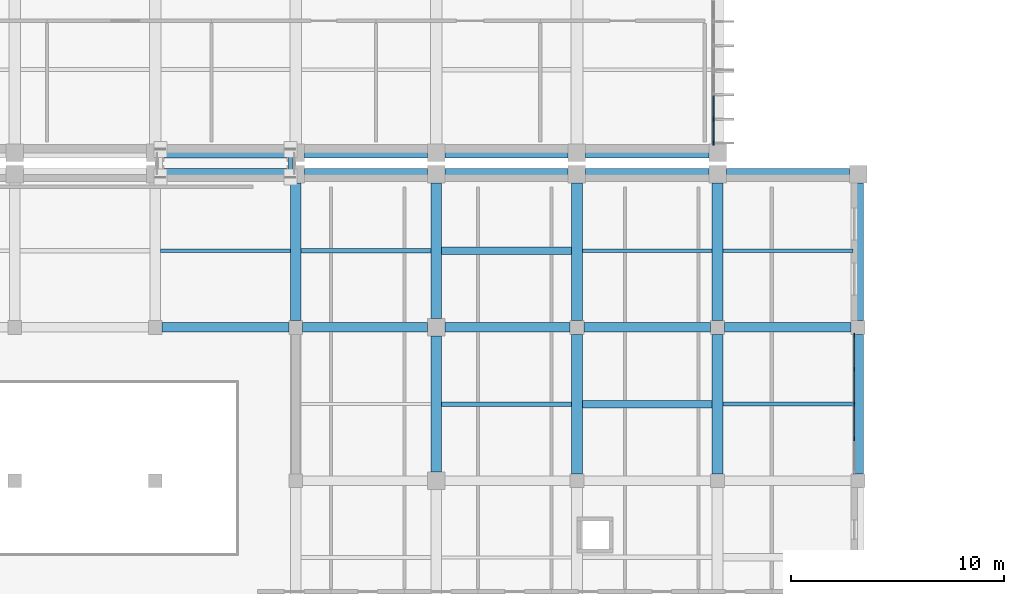
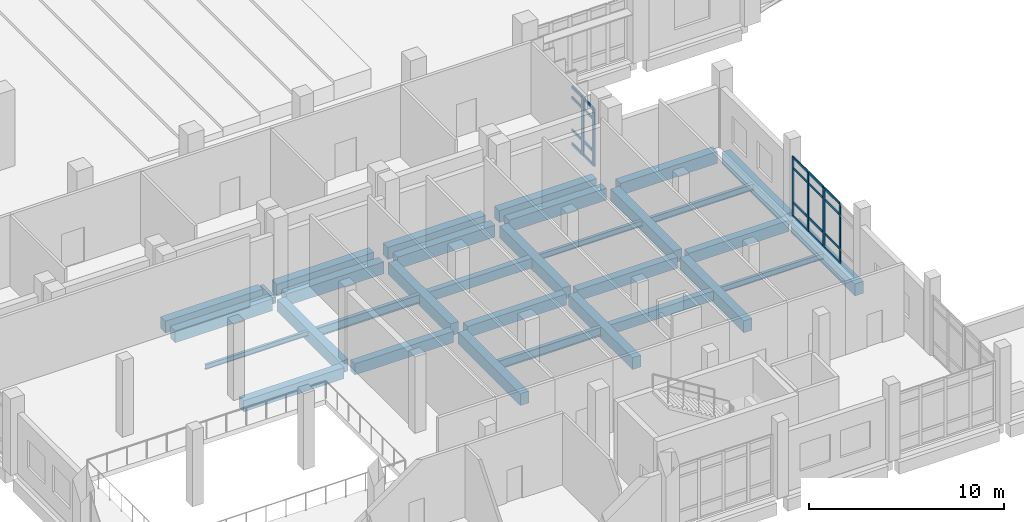
# One storey, part 17 of 90: 32 beams, 27 members, 3 elements without a shape of their own.
"""IFC4 building model written with IfcOpenShell, lengths in metres."""

import ifcopenshell
import ifcopenshell.guid

model = None  # the IFC model being written
_history = None  # IfcOwnerHistory: only IFC2X3 demands one
_inside = {}  # id of a spatial element -> (the spatial element, [elements in it])
_under = {}  # id of a project, library or spatial element -> (it, [spatial elements below it])
_declared = {}  # id of a project -> (the project, [libraries it declares])
_typed = {}  # id of a type object -> (the type object, [elements of that type])
_made_of = {}  # id of a material, layer set ... -> (it, [elements and type objects made of it])


def new_model(schema):
    """Start an empty IFC model of exactly this schema.

    Asked for "IFC4X3", IfcOpenShell would pick the latest addendum, in which some entities
    have other attributes; the version numbers below select the first issue.
    IFC2X3 requires an IfcOwnerHistory on every rooted entity: one is made here for all.
    """
    global model, _history
    if schema == "IFC4X3":
        model = ifcopenshell.file(schema_version=(4, 3, 0, 0))
    else:
        model = ifcopenshell.file(schema=schema)
    _inside.clear()
    _under.clear()
    _declared.clear()
    _typed.clear()
    _made_of.clear()
    _history = None
    if model.schema == "IFC2X3":
        org = make("IfcOrganization", Name="unknown")
        user = make(
            "IfcPersonAndOrganization",
            ThePerson=make("IfcPerson", FamilyName="unknown"),
            TheOrganization=org,
        )
        app = make(
            "IfcApplication",
            ApplicationDeveloper=org,
            Version="unknown",
            ApplicationFullName="unknown",
            ApplicationIdentifier="unknown",
        )
        _history = make(
            "IfcOwnerHistory",
            OwningUser=user,
            OwningApplication=app,
            ChangeAction="ADDED",
            CreationDate=0,
        )
    return model


def make(cls, **values):
    """One entity of the class cls with the attributes given. An attribute that is None is left unset."""
    return model.create_entity(
        cls, **{name: value for name, value in values.items() if value is not None}
    )


def rooted(cls, **values):
    """An entity with a GlobalId (a new one), such as an element, a storey or a relation."""
    return make(cls, GlobalId=ifcopenshell.guid.new(), OwnerHistory=_history, **values)


def si_unit(unit_type, name, prefix=None):
    """IfcSIUnit, for example si_unit("LENGTHUNIT", "METRE", prefix="MILLI")."""
    return make("IfcSIUnit", UnitType=unit_type, Prefix=prefix, Name=name)


def assignment(units):
    """IfcUnitAssignment: the units of a project."""
    return None if units is None else make("IfcUnitAssignment", Units=units)


def point(xyz):
    """IfcCartesianPoint."""
    return None if xyz is None else make("IfcCartesianPoint", Coordinates=xyz)


def direction(xyz):
    """IfcDirection."""
    return None if xyz is None else make("IfcDirection", DirectionRatios=xyz)


def frame(location, z_axis=None, x_axis=None):
    """IfcAxis2Placement3D, a coordinate frame: its origin and axes. An axis left out is left unset."""
    return make(
        "IfcAxis2Placement3D",
        Location=point(location),
        Axis=direction(z_axis),
        RefDirection=direction(x_axis),
    )


def frame_2d(location, x_axis=None):
    """IfcAxis2Placement2D, a coordinate frame in the plane: its origin and x axis."""
    return make(
        "IfcAxis2Placement2D", Location=point(location), RefDirection=direction(x_axis)
    )


def origin():
    """The frame at (0, 0, 0) with its axes left unset."""
    return frame((0.0, 0.0, 0.0))


def origin_2d():
    """The frame at (0, 0) in the plane with its x axis left unset."""
    return frame_2d((0.0, 0.0))


def place(relative_to, where):
    """IfcLocalPlacement: puts the frame where relative to a parent placement (None: the world)."""
    return make(
        "IfcLocalPlacement", PlacementRelTo=relative_to, RelativePlacement=where
    )


def context(
    kind, dimensions, precision=None, world=None, true_north=None, identifier=None
):
    """IfcGeometricRepresentationContext, for example the 3D "Model" context."""
    return make(
        "IfcGeometricRepresentationContext",
        ContextIdentifier=identifier,
        ContextType=kind,
        CoordinateSpaceDimension=dimensions,
        Precision=precision,
        WorldCoordinateSystem=world,
        TrueNorth=true_north,
    )


def subcontext(parent, identifier, kind, view, scale=None):
    """IfcGeometricRepresentationSubContext, for example "Body" below "Model"."""
    return make(
        "IfcGeometricRepresentationSubContext",
        ContextIdentifier=identifier,
        ContextType=kind,
        ParentContext=parent,
        TargetScale=scale,
        TargetView=view,
    )


def project(units=None, contexts=None):
    """IfcProject with its units and contexts."""
    return rooted(
        "IfcProject",
        Name="project",
        RepresentationContexts=contexts,
        UnitsInContext=assignment(units),
    )


def spatial(cls, under=None, at=None, **own):
    """A site, building, storey or space (cls), placed at a placement, below another one or the project."""
    s = rooted(cls, ObjectPlacement=at, **own)
    if under is not None:
        _under.setdefault(under.id(), (under, []))[1].append(s)
    return s


def profile(cls, at=None, kind="AREA", **sizes):
    """A parametric profile (cls). Its sizes go by their IFC names, for example OverallWidth=200.0."""
    return make(cls, ProfileType=kind, Position=at, **sizes)


def rectangle(**sizes):
    """IfcRectangleProfileDef."""
    return profile("IfcRectangleProfileDef", **sizes)


def hollow_rectangle(**sizes):
    """IfcRectangleHollowProfileDef."""
    return profile("IfcRectangleHollowProfileDef", **sizes)


def i_section(**sizes):
    """IfcIShapeProfileDef."""
    return profile("IfcIShapeProfileDef", **sizes)


def extrude(swept, where, along, depth):
    """IfcExtrudedAreaSolid: the profile swept, set in the frame where, extruded along a direction by depth."""
    return make(
        "IfcExtrudedAreaSolid",
        SweptArea=swept,
        Position=where,
        ExtrudedDirection=direction(along),
        Depth=depth,
    )


def shape(context_of_items, identifier, shape_type, items):
    """IfcShapeRepresentation: the items that make up one representation, for example the "Body"."""
    return make(
        "IfcShapeRepresentation",
        ContextOfItems=context_of_items,
        RepresentationIdentifier=identifier,
        RepresentationType=shape_type,
        Items=items,
    )


def material(Name=None, Category=None):
    """IfcMaterial."""
    return make("IfcMaterial", Name=Name, Category=Category)


def layer(
    of_material, thickness, ventilated=None, Name=None, Category=None, Priority=None
):
    """IfcMaterialLayer: one layer of a wall or slab, of a material (None: an air gap)."""
    return make(
        "IfcMaterialLayer",
        Material=of_material,
        LayerThickness=thickness,
        IsVentilated=ventilated,
        Name=Name,
        Category=Category,
        Priority=Priority,
    )


def layer_set(layers, Name=None):
    """IfcMaterialLayerSet."""
    return make("IfcMaterialLayerSet", MaterialLayers=layers, LayerSetName=Name)


def material_profile(
    of_material, cross_section, Name=None, Category=None, Priority=None
):
    """IfcMaterialProfile: a cross section and its material."""
    return make(
        "IfcMaterialProfile",
        Name=Name,
        Material=of_material,
        Profile=cross_section,
        Priority=Priority,
        Category=Category,
    )


def profile_set(profiles, Name=None, composite=None):
    """IfcMaterialProfileSet."""
    return make(
        "IfcMaterialProfileSet",
        Name=Name,
        MaterialProfiles=profiles,
        CompositeProfile=composite,
    )


def made_of(thing, what):
    """Note that an element or type object is made of a material, layer set ...; save() writes the relation."""
    if what is not None:
        _made_of.setdefault(what.id(), (what, []))[1].append(thing)
    return thing


def type_object(cls, material=None, **own):
    """A type object (cls), such as IfcWallType, which elements share."""
    return made_of(rooted(cls, **own), material)


def element(
    cls,
    number,
    at=None,
    inside=None,
    cuts=None,
    type_object=None,
    material=None,
    context=None,
    identifier="Body",
    shape_type=None,
    held_by="IfcProductDefinitionShape",
    body=None,
    shapes=None,
    **own,
):
    """One element of the class cls, such as IfcWall. Its Tag is "e" and its number.

    at: its placement. inside: the storey or other place that contains it. cuts: it is an
    opening in that element (IfcRelVoidsElement). A single representation is given by context,
    identifier, shape_type and body (its items); several are given by shapes. held_by: the class
    of the entity that holds the representations. save() writes the other relations.
    """
    e = rooted(cls, Tag="e%d" % number, ObjectPlacement=at, **own)
    if body is not None:
        shapes = [shape(context, identifier, shape_type, body)]
    if shapes is not None:
        e.Representation = make(held_by, Representations=shapes)
    if inside is not None:
        _inside.setdefault(inside.id(), (inside, []))[1].append(e)
    if cuts is not None:
        rooted(
            "IfcRelVoidsElement", RelatingBuildingElement=cuts, RelatedOpeningElement=e
        )
    if type_object is not None:
        _typed.setdefault(type_object.id(), (type_object, []))[1].append(e)
    return made_of(e, material)


def aggregate(whole, parts):
    """IfcRelAggregates: a whole, such as a stair, and the parts it consists of."""
    return rooted("IfcRelAggregates", RelatingObject=whole, RelatedObjects=parts)


def save(model, path):
    """Write the relations noted so far, then the file.

    IfcRelAggregates (storeys below a building ...), IfcRelContainedInSpatialStructure (elements
    in a storey), IfcRelDefinesByType, IfcRelAssociatesMaterial and IfcRelDeclares: one each for
    every whole, place, type object, material and project.
    """
    for whole, parts in _under.values():
        aggregate(whole, parts)
    for where, things in _inside.values():
        rooted(
            "IfcRelContainedInSpatialStructure",
            RelatedElements=things,
            RelatingStructure=where,
        )
    for kind, things in _typed.values():
        rooted("IfcRelDefinesByType", RelatedObjects=things, RelatingType=kind)
    for what, things in _made_of.values():
        rooted("IfcRelAssociatesMaterial", RelatedObjects=things, RelatingMaterial=what)
    for by, libraries in _declared.values():
        rooted("IfcRelDeclares", RelatingContext=by, RelatedDefinitions=libraries)
    model.write(path)


model = new_model("IFC4")

# Units and contexts
model_context = context("Model", 3, precision=1e-05, world=origin(), true_north=direction((0.0, 1.0)))
body_context = subcontext(model_context, "Body", "Model", "MODEL_VIEW")
ifc_project = project(units=[si_unit("LENGTHUNIT", "METRE"), si_unit("AREAUNIT", "SQUARE_METRE"), si_unit("VOLUMEUNIT", "CUBIC_METRE"), si_unit("PLANEANGLEUNIT", "RADIAN"), si_unit("MASSUNIT", "GRAM", prefix="KILO")], contexts=[model_context])

# Site, building, storey
site_placement = place(None, origin())
site = spatial("IfcSite", under=ifc_project, at=site_placement, CompositionType="ELEMENT")
building_placement = place(site_placement, origin())
building = spatial("IfcBuilding", under=site, at=building_placement, Name="Kelarvand Opera House", CompositionType="ELEMENT")
storey_placement = place(building_placement, frame((0.0, 0.0, 5.39990234375)))
storey = spatial("IfcBuildingStorey", under=building, at=storey_placement, Name="L01", CompositionType="ELEMENT", Elevation=5.39990234375)

# Curtain wall, members
ifc_material_1 = material(Name="Thermally broken aluminium and low-E glazing", Category="aluminium")
ifc_layer_1 = layer(ifc_material_1, 0.179931640625, Name="Thermally broken aluminium and low-E glazing", Category="aluminium")
ifc_layer_set_1 = layer_set([ifc_layer_1], Name="Thermally broken aluminium and low-E glazing")
curtain_wall_type_1 = type_object("IfcCurtainWallType", Name="Unitised Low-E Curtain Wall 3261x3750 Mod 1350 CWF-26", PredefinedType="USERDEFINED", material=ifc_layer_set_1)
curtain_wall_1_placement = place(storey_placement, origin())
curtain_wall_1 = element("IfcCurtainWall", 1, at=curtain_wall_1_placement, inside=storey, type_object=curtain_wall_type_1, Name="V6 L01 Curtain Wall CWF-26 (205)", ObjectType="UNITISED CURTAIN WALL", PredefinedType="USERDEFINED")
ifc_material_2 = material(Name="Thermally broken anodised aluminium", Category="aluminium")
ifc_material_profile_1 = material_profile(ifc_material_2, rectangle(XDim=0.06494140625, YDim=0.179931640625, at=origin_2d()), Name="ALU MULLION 65x180", Category="aluminium")
ifc_profile_set_1 = profile_set([ifc_material_profile_1], Name="Thermally broken anodised aluminium")
member_type_1 = type_object("IfcMemberType", Name="Curtain Wall Mullion 65x180 Aluminium", PredefinedType="MULLION", material=ifc_profile_set_1)
member_1_placement = place(storey_placement, frame((135.02001953125, 30.232421875, 0.0), z_axis=(0.0, 0.0, 1.0), x_axis=(1.0, 0.0, 0.0)))
member_1 = element("IfcMember", 2, at=member_1_placement, type_object=member_type_1, Name="CWF-26 mullion 1", PredefinedType="MULLION", context=body_context, shape_type="SweptSolid", body=[
    extrude(rectangle(XDim=0.06494140625, YDim=0.179931640625, at=origin_2d()), origin(), (0.0, 0.0, 1.0), 3.75),
])
member_2_placement = place(storey_placement, frame((135.02001953125, 28.634521484375, 0.0), z_axis=(0.0, 0.0, 1.0), x_axis=(1.0, 0.0, 0.0)))
member_2 = element("IfcMember", 3, at=member_2_placement, type_object=member_type_1, Name="CWF-26 mullion 2", PredefinedType="MULLION", context=body_context, shape_type="SweptSolid", body=[
    extrude(rectangle(XDim=0.06494140625, YDim=0.179931640625, at=origin_2d()), origin(), (0.0, 0.0, 1.0), 3.75),
])
member_3_placement = place(storey_placement, frame((135.02001953125, 27.03662109375, 0.0), z_axis=(0.0, 0.0, 1.0), x_axis=(1.0, 0.0, 0.0)))
member_3 = element("IfcMember", 4, at=member_3_placement, type_object=member_type_1, Name="CWF-26 mullion 3", PredefinedType="MULLION", context=body_context, shape_type="SweptSolid", body=[
    extrude(rectangle(XDim=0.06494140625, YDim=0.179931640625, at=origin_2d()), origin(), (0.0, 0.0, 1.0), 3.75),
])

curtain_wall_2_placement = place(storey_placement, origin())
curtain_wall_2 = element("IfcCurtainWall", 5, at=curtain_wall_2_placement, inside=storey, type_object=curtain_wall_type_1, Name="V6 L01 Curtain Wall CWF-26 (206)", ObjectType="UNITISED CURTAIN WALL", PredefinedType="USERDEFINED")
member_4_placement = place(storey_placement, frame((135.02001953125, 26.967529296875, 0.0), z_axis=(0.0, 0.0, 1.0), x_axis=(1.0, 0.0, 0.0)))
member_4 = element("IfcMember", 6, at=member_4_placement, type_object=member_type_1, Name="CWF-26 mullion 1", PredefinedType="MULLION", context=body_context, shape_type="SweptSolid", body=[
    extrude(rectangle(XDim=0.06494140625, YDim=0.179931640625, at=origin_2d()), origin(), (0.0, 0.0, 1.0), 3.75),
])
member_5_placement = place(storey_placement, frame((135.02001953125, 25.367431640625, 0.0), z_axis=(0.0, 0.0, 1.0), x_axis=(1.0, 0.0, 0.0)))
member_5 = element("IfcMember", 7, at=member_5_placement, type_object=member_type_1, Name="CWF-26 mullion 2", PredefinedType="MULLION", context=body_context, shape_type="SweptSolid", body=[
    extrude(rectangle(XDim=0.06494140625, YDim=0.179931640625, at=origin_2d()), origin(), (0.0, 0.0, 1.0), 3.75),
])

ifc_layer_2 = layer(ifc_material_1, 0.219970703125, Name="Thermally broken aluminium and low-E glazing", Category="aluminium")
ifc_layer_set_2 = layer_set([ifc_layer_2], Name="Thermally broken aluminium and low-E glazing")
curtain_wall_type_2 = type_object("IfcCurtainWallType", Name="Unitised Low-E Curtain Wall 3444x3630 Mod 1150 CWF-02", PredefinedType="USERDEFINED", material=ifc_layer_set_2)
curtain_wall_3_placement = place(storey_placement, origin())
curtain_wall_3 = element("IfcCurtainWall", 8, at=curtain_wall_3_placement, inside=storey, type_object=curtain_wall_type_2, Name="V1 L01 Curtain Wall CWF-02 (14)", ObjectType="UNITISED CURTAIN WALL", PredefinedType="USERDEFINED")
ifc_material_profile_2 = material_profile(ifc_material_2, rectangle(XDim=0.074951171875, YDim=0.219970703125, at=origin_2d()), Name="ALU MULLION 75x220", Category="aluminium")
ifc_profile_set_2 = profile_set([ifc_material_profile_2], Name="Thermally broken anodised aluminium")
member_type_2 = type_object("IfcMemberType", Name="Curtain Wall Mullion 75x220 Heavy Plaza", PredefinedType="MULLION", material=ifc_profile_set_2)
member_6_placement = place(storey_placement, frame((128.419921875, 40.369140625, 0.0), z_axis=(0.0, 0.0, 1.0), x_axis=(1.0, 0.0, 0.0)))
member_6 = element("IfcMember", 9, at=member_6_placement, type_object=member_type_2, Name="CWF-02 mullion 3", PredefinedType="MULLION", context=body_context, shape_type="SweptSolid", body=[
    extrude(rectangle(XDim=0.074951171875, YDim=0.219970703125, at=origin_2d()), origin(), (0.0, 0.0, 1.0), 3.630126953125),
])
member_7_placement = place(storey_placement, frame((128.419921875, 39.257568359375, 0.0), z_axis=(0.0, 0.0, 1.0), x_axis=(1.0, 0.0, 0.0)))
member_7 = element("IfcMember", 10, at=member_7_placement, type_object=member_type_2, Name="CWF-02 mullion 4", PredefinedType="MULLION", context=body_context, shape_type="SweptSolid", body=[
    extrude(rectangle(XDim=0.074951171875, YDim=0.219970703125, at=origin_2d()), origin(), (0.0, 0.0, 1.0), 3.630126953125),
])

# Member
ifc_material_profile_3 = material_profile(ifc_material_2, rectangle(XDim=0.06494140625, YDim=0.139892578125, at=origin_2d()), Name="ALU TRANSOM 65x140", Category="aluminium")
ifc_profile_set_3 = profile_set([ifc_material_profile_3], Name="Thermally broken anodised aluminium")
member_type_3 = type_object("IfcMemberType", Name="Curtain Wall Transom 65x140 Aluminium", PredefinedType="USERDEFINED", material=ifc_profile_set_3)
member_8_placement = place(storey_placement, frame((135.02001953125, 30.199951171875, 0.03271484375), z_axis=(0.0, -1.0, 0.0), x_axis=(1.0, 0.0, 0.0)))
member_8 = element("IfcMember", 11, at=member_8_placement, type_object=member_type_3, Name="CWF-26 transom 1.1", ObjectType="TRANSOM", PredefinedType="USERDEFINED", context=body_context, shape_type="SweptSolid", body=[
    extrude(rectangle(XDim=0.06494140625, YDim=0.139892578125, at=origin_2d()), origin(), (0.0, 0.0, 1.0), 1.532958984375),
])

member_9_placement = place(storey_placement, frame((135.02001953125, 30.199951171875, 0.900146484375), z_axis=(0.0, -1.0, 0.0), x_axis=(1.0, 0.0, 0.0)))
member_9 = element("IfcMember", 12, at=member_9_placement, type_object=member_type_3, Name="CWF-26 transom 1.2", ObjectType="TRANSOM", PredefinedType="USERDEFINED", context=body_context, shape_type="SweptSolid", body=[
    extrude(rectangle(XDim=0.06494140625, YDim=0.139892578125, at=origin_2d()), origin(), (0.0, 0.0, 1.0), 1.532958984375),
])

member_10_placement = place(storey_placement, frame((135.02001953125, 30.199951171875, 3.050048828125), z_axis=(0.0, -1.0, 0.0), x_axis=(1.0, 0.0, 0.0)))
member_10 = element("IfcMember", 13, at=member_10_placement, type_object=member_type_3, Name="CWF-26 transom 1.3", ObjectType="TRANSOM", PredefinedType="USERDEFINED", context=body_context, shape_type="SweptSolid", body=[
    extrude(rectangle(XDim=0.06494140625, YDim=0.139892578125, at=origin_2d()), origin(), (0.0, 0.0, 1.0), 1.532958984375),
])

member_11_placement = place(storey_placement, frame((135.02001953125, 30.199951171875, 3.717529296875), z_axis=(0.0, -1.0, 0.0), x_axis=(1.0, 0.0, 0.0)))
member_11 = element("IfcMember", 14, at=member_11_placement, type_object=member_type_3, Name="CWF-26 transom 1.4", ObjectType="TRANSOM", PredefinedType="USERDEFINED", context=body_context, shape_type="SweptSolid", body=[
    extrude(rectangle(XDim=0.06494140625, YDim=0.139892578125, at=origin_2d()), origin(), (0.0, 0.0, 1.0), 1.532958984375),
])

member_12_placement = place(storey_placement, frame((135.02001953125, 28.60205078125, 0.03271484375), z_axis=(0.0, -1.0, 0.0), x_axis=(1.0, 0.0, 0.0)))
member_12 = element("IfcMember", 15, at=member_12_placement, type_object=member_type_3, Name="CWF-26 transom 2.1", ObjectType="TRANSOM", PredefinedType="USERDEFINED", context=body_context, shape_type="SweptSolid", body=[
    extrude(rectangle(XDim=0.06494140625, YDim=0.139892578125, at=origin_2d()), origin(), (0.0, 0.0, 1.0), 1.532958984375),
])

member_13_placement = place(storey_placement, frame((135.02001953125, 28.60205078125, 0.900146484375), z_axis=(0.0, -1.0, 0.0), x_axis=(1.0, 0.0, 0.0)))
member_13 = element("IfcMember", 16, at=member_13_placement, type_object=member_type_3, Name="CWF-26 transom 2.2", ObjectType="TRANSOM", PredefinedType="USERDEFINED", context=body_context, shape_type="SweptSolid", body=[
    extrude(rectangle(XDim=0.06494140625, YDim=0.139892578125, at=origin_2d()), origin(), (0.0, 0.0, 1.0), 1.532958984375),
])

member_14_placement = place(storey_placement, frame((135.02001953125, 28.60205078125, 3.050048828125), z_axis=(0.0, -1.0, 0.0), x_axis=(1.0, 0.0, 0.0)))
member_14 = element("IfcMember", 17, at=member_14_placement, type_object=member_type_3, Name="CWF-26 transom 2.3", ObjectType="TRANSOM", PredefinedType="USERDEFINED", context=body_context, shape_type="SweptSolid", body=[
    extrude(rectangle(XDim=0.06494140625, YDim=0.139892578125, at=origin_2d()), origin(), (0.0, 0.0, 1.0), 1.532958984375),
])

member_15_placement = place(storey_placement, frame((135.02001953125, 28.60205078125, 3.717529296875), z_axis=(0.0, -1.0, 0.0), x_axis=(1.0, 0.0, 0.0)))
member_15 = element("IfcMember", 18, at=member_15_placement, type_object=member_type_3, Name="CWF-26 transom 2.4", ObjectType="TRANSOM", PredefinedType="USERDEFINED", context=body_context, shape_type="SweptSolid", body=[
    extrude(rectangle(XDim=0.06494140625, YDim=0.139892578125, at=origin_2d()), origin(), (0.0, 0.0, 1.0), 1.532958984375),
])

aggregate(curtain_wall_1, [member_1, member_2, member_3, member_8, member_9, member_10, member_11, member_12, member_13, member_14, member_15])

member_16_placement = place(storey_placement, frame((135.02001953125, 26.93505859375, 0.03271484375), z_axis=(0.0, -1.0, 0.0), x_axis=(1.0, 0.0, 0.0)))
member_16 = element("IfcMember", 19, at=member_16_placement, type_object=member_type_3, Name="CWF-26 transom 1.1", ObjectType="TRANSOM", PredefinedType="USERDEFINED", context=body_context, shape_type="SweptSolid", body=[
    extrude(rectangle(XDim=0.06494140625, YDim=0.139892578125, at=origin_2d()), origin(), (0.0, 0.0, 1.0), 1.53515625),
])

member_17_placement = place(storey_placement, frame((135.02001953125, 26.93505859375, 0.900146484375), z_axis=(0.0, -1.0, 0.0), x_axis=(1.0, 0.0, 0.0)))
member_17 = element("IfcMember", 20, at=member_17_placement, type_object=member_type_3, Name="CWF-26 transom 1.2", ObjectType="TRANSOM", PredefinedType="USERDEFINED", context=body_context, shape_type="SweptSolid", body=[
    extrude(rectangle(XDim=0.06494140625, YDim=0.139892578125, at=origin_2d()), origin(), (0.0, 0.0, 1.0), 1.53515625),
])

member_18_placement = place(storey_placement, frame((135.02001953125, 26.93505859375, 3.050048828125), z_axis=(0.0, -1.0, 0.0), x_axis=(1.0, 0.0, 0.0)))
member_18 = element("IfcMember", 21, at=member_18_placement, type_object=member_type_3, Name="CWF-26 transom 1.3", ObjectType="TRANSOM", PredefinedType="USERDEFINED", context=body_context, shape_type="SweptSolid", body=[
    extrude(rectangle(XDim=0.06494140625, YDim=0.139892578125, at=origin_2d()), origin(), (0.0, 0.0, 1.0), 1.53515625),
])

member_19_placement = place(storey_placement, frame((135.02001953125, 26.93505859375, 3.717529296875), z_axis=(0.0, -1.0, 0.0), x_axis=(1.0, 0.0, 0.0)))
member_19 = element("IfcMember", 22, at=member_19_placement, type_object=member_type_3, Name="CWF-26 transom 1.4", ObjectType="TRANSOM", PredefinedType="USERDEFINED", context=body_context, shape_type="SweptSolid", body=[
    extrude(rectangle(XDim=0.06494140625, YDim=0.139892578125, at=origin_2d()), origin(), (0.0, 0.0, 1.0), 1.53515625),
])

aggregate(curtain_wall_2, [member_4, member_5, member_16, member_17, member_18, member_19])

ifc_material_profile_4 = material_profile(ifc_material_2, rectangle(XDim=0.074951171875, YDim=0.159912109375, at=origin_2d()), Name="ALU TRANSOM 75x160", Category="aluminium")
ifc_profile_set_4 = profile_set([ifc_material_profile_4], Name="Thermally broken anodised aluminium")
member_type_4 = type_object("IfcMemberType", Name="Curtain Wall Transom 75x160 Heavy Plaza", PredefinedType="USERDEFINED", material=ifc_profile_set_4)
member_20_placement = place(storey_placement, frame((128.419921875, 41.480712890625, 0.03759765625), z_axis=(0.0, -1.0, 0.0), x_axis=(1.0, 0.0, 0.0)))
member_20 = element("IfcMember", 23, at=member_20_placement, type_object=member_type_4, Name="CWF-02 transom 2.1", ObjectType="TRANSOM", PredefinedType="USERDEFINED", context=body_context, shape_type="SweptSolid", body=[
    extrude(rectangle(XDim=0.074951171875, YDim=0.159912109375, at=origin_2d()), origin(), (0.0, 0.0, 1.0), 1.073974609375),
])

member_21_placement = place(storey_placement, frame((128.419921875, 41.480712890625, 0.900146484375), z_axis=(0.0, -1.0, 0.0), x_axis=(1.0, 0.0, 0.0)))
member_21 = element("IfcMember", 24, at=member_21_placement, type_object=member_type_4, Name="CWF-02 transom 2.2", ObjectType="TRANSOM", PredefinedType="USERDEFINED", context=body_context, shape_type="SweptSolid", body=[
    extrude(rectangle(XDim=0.074951171875, YDim=0.159912109375, at=origin_2d()), origin(), (0.0, 0.0, 1.0), 1.073974609375),
])

member_22_placement = place(storey_placement, frame((128.419921875, 41.480712890625, 2.93017578125), z_axis=(0.0, -1.0, 0.0), x_axis=(1.0, 0.0, 0.0)))
member_22 = element("IfcMember", 25, at=member_22_placement, type_object=member_type_4, Name="CWF-02 transom 2.3", ObjectType="TRANSOM", PredefinedType="USERDEFINED", context=body_context, shape_type="SweptSolid", body=[
    extrude(rectangle(XDim=0.074951171875, YDim=0.159912109375, at=origin_2d()), origin(), (0.0, 0.0, 1.0), 1.073974609375),
])

member_23_placement = place(storey_placement, frame((128.419921875, 41.480712890625, 3.592529296875), z_axis=(0.0, -1.0, 0.0), x_axis=(1.0, 0.0, 0.0)))
member_23 = element("IfcMember", 26, at=member_23_placement, type_object=member_type_4, Name="CWF-02 transom 2.4", ObjectType="TRANSOM", PredefinedType="USERDEFINED", context=body_context, shape_type="SweptSolid", body=[
    extrude(rectangle(XDim=0.074951171875, YDim=0.159912109375, at=origin_2d()), origin(), (0.0, 0.0, 1.0), 1.073974609375),
])

member_24_placement = place(storey_placement, frame((128.419921875, 40.331787109375, 0.03759765625), z_axis=(0.0, -1.0, 0.0), x_axis=(1.0, 0.0, 0.0)))
member_24 = element("IfcMember", 27, at=member_24_placement, type_object=member_type_4, Name="CWF-02 transom 3.1", ObjectType="TRANSOM", PredefinedType="USERDEFINED", context=body_context, shape_type="SweptSolid", body=[
    extrude(rectangle(XDim=0.074951171875, YDim=0.159912109375, at=origin_2d()), origin(), (0.0, 0.0, 1.0), 1.036865234375),
])

member_25_placement = place(storey_placement, frame((128.419921875, 40.331787109375, 0.900146484375), z_axis=(0.0, -1.0, 0.0), x_axis=(1.0, 0.0, 0.0)))
member_25 = element("IfcMember", 28, at=member_25_placement, type_object=member_type_4, Name="CWF-02 transom 3.2", ObjectType="TRANSOM", PredefinedType="USERDEFINED", context=body_context, shape_type="SweptSolid", body=[
    extrude(rectangle(XDim=0.074951171875, YDim=0.159912109375, at=origin_2d()), origin(), (0.0, 0.0, 1.0), 1.036865234375),
])

member_26_placement = place(storey_placement, frame((128.419921875, 40.331787109375, 2.93017578125), z_axis=(0.0, -1.0, 0.0), x_axis=(1.0, 0.0, 0.0)))
member_26 = element("IfcMember", 29, at=member_26_placement, type_object=member_type_4, Name="CWF-02 transom 3.3", ObjectType="TRANSOM", PredefinedType="USERDEFINED", context=body_context, shape_type="SweptSolid", body=[
    extrude(rectangle(XDim=0.074951171875, YDim=0.159912109375, at=origin_2d()), origin(), (0.0, 0.0, 1.0), 1.036865234375),
])

member_27_placement = place(storey_placement, frame((128.419921875, 40.331787109375, 3.592529296875), z_axis=(0.0, -1.0, 0.0), x_axis=(1.0, 0.0, 0.0)))
member_27 = element("IfcMember", 30, at=member_27_placement, type_object=member_type_4, Name="CWF-02 transom 3.4", ObjectType="TRANSOM", PredefinedType="USERDEFINED", context=body_context, shape_type="SweptSolid", body=[
    extrude(rectangle(XDim=0.074951171875, YDim=0.159912109375, at=origin_2d()), origin(), (0.0, 0.0, 1.0), 1.036865234375),
])

aggregate(curtain_wall_3, [member_6, member_7, member_20, member_21, member_22, member_23, member_24, member_25, member_26, member_27])

# Beams
ifc_material_3 = material(Name="Concrete C35/45", Category="concrete")
ifc_material_profile_5 = material_profile(ifc_material_3, rectangle(XDim=0.35009765625, YDim=0.60009765625, at=origin_2d()), Name="RC 350x600", Category="concrete")
ifc_profile_set_5 = profile_set([ifc_material_profile_5], Name="Concrete C35/45")
beam_type_1 = type_object("IfcBeamType", Name="Structural Beam RC 350x600 BM-RC350x600", PredefinedType="BEAM", material=ifc_profile_set_5)
for number, where, z_axis, x_axis, name in (
    (31, (115.64990234375, 34.199951171875, -0.599853515625), (1.0, 0.0, 0.0), (0.0, 1.0, 0.0), "V6 L01 Beam BM-RC350x600"),
    (32, (122.25, 27.0, -0.599853515625), (1.0, 0.0, 0.0), (0.0, 1.0, 0.0), "V6 L01 Beam BM-RC350x600"),
):
    element("IfcBeam", number, at=place(storey_placement, frame(where, z_axis=z_axis, x_axis=x_axis)), inside=storey, type_object=beam_type_1, Name=name, PredefinedType="BEAM", context=body_context, shape_type="SweptSolid", body=[
        extrude(rectangle(XDim=0.35009765625, YDim=0.60009765625, at=origin_2d()), origin(), (0.0, 0.0, 1.0), 6.10009765625),
    ])
ifc_material_4 = material(Name="Concrete C40/50", Category="concrete")
ifc_material_profile_6 = material_profile(ifc_material_4, rectangle(XDim=0.449951171875, YDim=0.699951171875, at=origin_2d()), Name="RC 450x700", Category="concrete")
ifc_profile_set_6 = profile_set([ifc_material_profile_6], Name="Concrete C40/50")
beam_type_2 = type_object("IfcBeamType", Name="Structural Beam RC 450x700 BM-RC450x700", PredefinedType="BEAM", material=ifc_profile_set_6)
beam_1_placement = place(storey_placement, frame((102.52490234375, 30.60009765625, -0.64990234375), z_axis=(1.0, 0.0, 0.0), x_axis=(0.0, 1.0, 0.0)))
element("IfcBeam", 33, at=beam_1_placement, inside=storey, type_object=beam_type_2, Name="V6 L01 Beam BM-RC450x700", PredefinedType="BEAM", context=body_context, shape_type="SweptSolid", body=[
    extrude(rectangle(XDim=0.449951171875, YDim=0.699951171875, at=origin_2d()), origin(), (0.0, 0.0, 1.0), 5.9501953125),
])
for number, where, z_axis, x_axis, name in (
    (34, (109.125, 30.60009765625, -0.64990234375), (1.0, 0.0, 0.0), (0.0, 1.0, 0.0), "V6 L01 Beam BM-RC450x700"),
    (35, (115.81005859375, 30.60009765625, -0.64990234375), (1.0, 0.0, 0.0), (0.0, 1.0, 0.0), "V6 L01 Beam BM-RC450x700"),
):
    element("IfcBeam", number, at=place(storey_placement, frame(where, z_axis=z_axis, x_axis=x_axis)), inside=storey, type_object=beam_type_2, Name=name, PredefinedType="BEAM", context=body_context, shape_type="SweptSolid", body=[
        extrude(rectangle(XDim=0.449951171875, YDim=0.699951171875, at=origin_2d()), origin(), (0.0, 0.0, 1.0), 5.864990234375),
    ])
for number, where, z_axis, x_axis, name in (
    (36, (122.324951171875, 30.60009765625, -0.64990234375), (1.0, 0.0, 0.0), (0.0, 1.0, 0.0), "V6 L01 Beam BM-RC450x700"),
    (37, (128.925048828125, 30.60009765625, -0.64990234375), (1.0, 0.0, 0.0), (0.0, 1.0, 0.0), "V6 L01 Beam BM-RC450x700"),
):
    element("IfcBeam", number, at=place(storey_placement, frame(where, z_axis=z_axis, x_axis=x_axis)), inside=storey, type_object=beam_type_2, Name=name, PredefinedType="BEAM", context=body_context, shape_type="SweptSolid", body=[
        extrude(rectangle(XDim=0.449951171875, YDim=0.699951171875, at=origin_2d()), origin(), (0.0, 0.0, 1.0), 5.949951171875),
    ])
ifc_material_profile_7 = material_profile(ifc_material_4, rectangle(XDim=0.5, YDim=0.75, at=origin_2d()), Name="RC 500x750", Category="concrete")
ifc_profile_set_7 = profile_set([ifc_material_profile_7], Name="Concrete C40/50")
beam_type_3 = type_object("IfcBeamType", Name="Structural Beam RC 500x750 BM-RC500x750", PredefinedType="BEAM", material=ifc_profile_set_7)
beam_2_placement = place(storey_placement, frame((108.800048828125, 30.925048828125, -0.6748046875), z_axis=(0.0, 1.0, 0.0), x_axis=(-1.0, 0.0, 0.0)))
element("IfcBeam", 38, at=beam_2_placement, inside=storey, type_object=beam_type_3, Name="V6 L01 Beam BM-RC500x750", PredefinedType="BEAM", context=body_context, shape_type="SweptSolid", body=[
    extrude(rectangle(XDim=0.5, YDim=0.75, at=origin_2d()), origin(), (0.0, 0.0, 1.0), 6.46484375),
])
for number, where, z_axis, x_axis, name in (
    (39, (115.39990234375, 23.81005859375, -0.6748046875), (0.0, 1.0, 0.0), (-1.0, 0.0, 0.0), "V6 L01 Beam BM-RC500x750"),
    (40, (115.39990234375, 31.010009765625, -0.6748046875), (0.0, 1.0, 0.0), (-1.0, 0.0, 0.0), "V6 L01 Beam BM-RC500x750"),
):
    element("IfcBeam", number, at=place(storey_placement, frame(where, z_axis=z_axis, x_axis=x_axis)), inside=storey, type_object=beam_type_3, Name=name, PredefinedType="BEAM", context=body_context, shape_type="SweptSolid", body=[
        extrude(rectangle(XDim=0.5, YDim=0.75, at=origin_2d()), origin(), (0.0, 0.0, 1.0), 6.3798828125),
    ])
beam_3_placement = place(storey_placement, frame((122.0, 23.72509765625, -0.6748046875), z_axis=(0.0, 1.0, 0.0), x_axis=(-1.0, 0.0, 0.0)))
element("IfcBeam", 41, at=beam_3_placement, inside=storey, type_object=beam_type_3, Name="V6 L01 Beam BM-RC500x750", PredefinedType="BEAM", context=body_context, shape_type="SweptSolid", body=[
    extrude(rectangle(XDim=0.5, YDim=0.75, at=origin_2d()), origin(), (0.0, 0.0, 1.0), 6.5498046875),
])
beam_4_placement = place(storey_placement, frame((122.0, 30.925048828125, -0.6748046875), z_axis=(0.0, 1.0, 0.0), x_axis=(-1.0, 0.0, 0.0)))
element("IfcBeam", 42, at=beam_4_placement, inside=storey, type_object=beam_type_3, Name="V6 L01 Beam BM-RC500x750", PredefinedType="BEAM", context=body_context, shape_type="SweptSolid", body=[
    extrude(rectangle(XDim=0.5, YDim=0.75, at=origin_2d()), origin(), (0.0, 0.0, 1.0), 6.46484375),
])
beam_5_placement = place(storey_placement, frame((128.60009765625, 23.72509765625, -0.6748046875), z_axis=(0.0, 1.0, 0.0), x_axis=(-1.0, 0.0, 0.0)))
element("IfcBeam", 43, at=beam_5_placement, inside=storey, type_object=beam_type_3, Name="V6 L01 Beam BM-RC500x750", PredefinedType="BEAM", context=body_context, shape_type="SweptSolid", body=[
    extrude(rectangle(XDim=0.5, YDim=0.75, at=origin_2d()), origin(), (0.0, 0.0, 1.0), 6.5498046875),
])
beam_6_placement = place(storey_placement, frame((128.60009765625, 30.925048828125, -0.6748046875), z_axis=(0.0, 1.0, 0.0), x_axis=(-1.0, 0.0, 0.0)))
element("IfcBeam", 44, at=beam_6_placement, inside=storey, type_object=beam_type_3, Name="V6 L01 Beam BM-RC500x750", PredefinedType="BEAM", context=body_context, shape_type="SweptSolid", body=[
    extrude(rectangle(XDim=0.5, YDim=0.75, at=origin_2d()), origin(), (0.0, 0.0, 1.0), 6.46484375),
])
beam_7_placement = place(storey_placement, frame((135.199951171875, 23.72509765625, -0.6748046875), z_axis=(0.0, 1.0, 0.0), x_axis=(-1.0, 0.0, 0.0)))
element("IfcBeam", 45, at=beam_7_placement, inside=storey, type_object=beam_type_3, Name="V6 L01 Beam BM-RC500x750", PredefinedType="BEAM", context=body_context, shape_type="SweptSolid", body=[
    extrude(rectangle(XDim=0.5, YDim=0.75, at=origin_2d()), origin(), (0.0, 0.0, 1.0), 6.5498046875),
])
beam_8_placement = place(storey_placement, frame((135.199951171875, 30.925048828125, -0.6748046875), z_axis=(0.0, 1.0, 0.0), x_axis=(-1.0, 0.0, 0.0)))
element("IfcBeam", 46, at=beam_8_placement, inside=storey, type_object=beam_type_3, Name="V6 L01 Beam BM-RC500x750", PredefinedType="BEAM", context=body_context, shape_type="SweptSolid", body=[
    extrude(rectangle(XDim=0.5, YDim=0.75, at=origin_2d()), origin(), (0.0, 0.0, 1.0), 6.46484375),
])
ifc_material_5 = material(Name="Steel S355", Category="steel")
ifc_material_profile_8 = material_profile(ifc_material_5, hollow_rectangle(XDim=0.199951171875, YDim=0.39990234375, WallThickness=0.01611328125, at=origin_2d()), Name="RHS 400x200x16.0", Category="steel")
ifc_profile_set_8 = profile_set([ifc_material_profile_8], Name="Steel S355")
beam_type_4 = type_object("IfcBeamType", Name="Structural Beam RHS 400x200x16.0 BM-RHS400", PredefinedType="BEAM", material=ifc_profile_set_8)
beam_9_placement = place(storey_placement, frame((108.550048828125, 37.64990234375, -0.52001953125), z_axis=(0.0, 1.0, 0.0), x_axis=(-1.0, 0.0, 0.0)))
element("IfcBeam", 47, at=beam_9_placement, inside=storey, type_object=beam_type_4, Name="Seismic Sliding Corbel Beam BR-JS-E L01 2", PredefinedType="BEAM", context=body_context, shape_type="SweptSolid", body=[
    extrude(hollow_rectangle(XDim=0.199951171875, YDim=0.39990234375, WallThickness=0.01611328125, at=origin_2d()), origin(), (0.0, 0.0, 1.0), 1.300048828125),
])
ifc_material_profile_9 = material_profile(ifc_material_5, i_section(OverallWidth=0.14990234375, OverallDepth=0.300048828125, WebThickness=0.007080078125, FlangeThickness=0.0107421875, at=origin_2d()), Name="IPE 300", Category="steel")
ifc_profile_set_9 = profile_set([ifc_material_profile_9], Name="Steel S355")
beam_type_5 = type_object("IfcBeamType", Name="Structural Joist IPE 300 JS-IPE300", PredefinedType="JOIST", material=ifc_profile_set_9)
beam_10_placement = place(storey_placement, frame((102.449951171875, 34.199951171875, -0.449951171875), z_axis=(1.0, 0.0, 0.0), x_axis=(0.0, 1.0, 0.0)))
element("IfcBeam", 48, at=beam_10_placement, inside=storey, type_object=beam_type_5, Name="V6 L01 Beam JS-IPE300", PredefinedType="JOIST", context=body_context, shape_type="SweptSolid", body=[
    extrude(i_section(OverallWidth=0.14990234375, OverallDepth=0.300048828125, WebThickness=0.007080078125, FlangeThickness=0.0107421875, at=origin_2d()), origin(), (0.0, 0.0, 1.0), 6.10009765625),
])
ifc_material_profile_10 = material_profile(ifc_material_5, i_section(OverallWidth=0.169921875, OverallDepth=0.360107421875, WebThickness=0.008056640625, FlangeThickness=0.0126953125, at=origin_2d()), Name="IPE 360", Category="steel")
ifc_profile_set_10 = profile_set([ifc_material_profile_10], Name="Steel S355")
beam_type_6 = type_object("IfcBeamType", Name="Structural Joist IPE 360 JS-IPE360", PredefinedType="JOIST", material=ifc_profile_set_10)
beam_11_placement = place(storey_placement, frame((122.25, 34.199951171875, -0.47998046875), z_axis=(1.0, 0.0, 0.0), x_axis=(0.0, 1.0, 0.0)))
element("IfcBeam", 49, at=beam_11_placement, inside=storey, type_object=beam_type_6, Name="V6 L01 Beam JS-IPE360", PredefinedType="JOIST", context=body_context, shape_type="SweptSolid", body=[
    extrude(i_section(OverallWidth=0.169921875, OverallDepth=0.360107421875, WebThickness=0.008056640625, FlangeThickness=0.0126953125, at=origin_2d()), origin(), (0.0, 0.0, 1.0), 6.10009765625),
])
beam_12_placement = place(storey_placement, frame((128.85009765625, 27.0, -0.47998046875), z_axis=(1.0, 0.0, 0.0), x_axis=(0.0, 1.0, 0.0)))
element("IfcBeam", 50, at=beam_12_placement, inside=storey, type_object=beam_type_6, Name="V6 L01 Beam JS-IPE360", PredefinedType="JOIST", context=body_context, shape_type="SweptSolid", body=[
    extrude(i_section(OverallWidth=0.169921875, OverallDepth=0.360107421875, WebThickness=0.008056640625, FlangeThickness=0.0126953125, at=origin_2d()), origin(), (0.0, 0.0, 1.0), 6.099853515625),
])
ifc_material_profile_11 = material_profile(ifc_material_5, i_section(OverallWidth=0.179931640625, OverallDepth=0.39990234375, WebThickness=0.008544921875, FlangeThickness=0.013427734375, at=origin_2d()), Name="IPE 400", Category="steel")
ifc_profile_set_11 = profile_set([ifc_material_profile_11], Name="Steel S355")
beam_type_7 = type_object("IfcBeamType", Name="Structural Joist IPE 400 JS-IPE400", PredefinedType="JOIST", material=ifc_profile_set_11)
beam_13_placement = place(storey_placement, frame((128.85009765625, 34.199951171875, -0.5), z_axis=(1.0, 0.0, 0.0), x_axis=(0.0, 1.0, 0.0)))
element("IfcBeam", 51, at=beam_13_placement, inside=storey, type_object=beam_type_7, Name="V6 L01 Beam JS-IPE400", PredefinedType="JOIST", context=body_context, shape_type="SweptSolid", body=[
    extrude(i_section(OverallWidth=0.179931640625, OverallDepth=0.39990234375, WebThickness=0.008544921875, FlangeThickness=0.013427734375, at=origin_2d()), origin(), (0.0, 0.0, 1.0), 6.099853515625),
])
ifc_material_profile_12 = material_profile(ifc_material_5, i_section(OverallWidth=0.2099609375, OverallDepth=0.550048828125, WebThickness=0.010986328125, FlangeThickness=0.01708984375, at=origin_2d()), Name="IPE 550", Category="steel")
ifc_profile_set_12 = profile_set([ifc_material_profile_12], Name="Steel S355")
beam_type_8 = type_object("IfcBeamType", Name="Structural Joist IPE 550 JS-IPE550", PredefinedType="JOIST", material=ifc_profile_set_12)
beam_14_placement = place(storey_placement, frame((109.050048828125, 34.199951171875, -0.574951171875), z_axis=(1.0, 0.0, 0.0), x_axis=(0.0, 1.0, 0.0)))
element("IfcBeam", 52, at=beam_14_placement, inside=storey, type_object=beam_type_8, Name="V6 L01 Beam JS-IPE550", PredefinedType="JOIST", context=body_context, shape_type="SweptSolid", body=[
    extrude(i_section(OverallWidth=0.2099609375, OverallDepth=0.550048828125, WebThickness=0.010986328125, FlangeThickness=0.01708984375, at=origin_2d()), origin(), (0.0, 0.0, 1.0), 6.099853515625),
])
beam_15_placement = place(storey_placement, frame((115.64990234375, 27.0, -0.574951171875), z_axis=(1.0, 0.0, 0.0), x_axis=(0.0, 1.0, 0.0)))
element("IfcBeam", 53, at=beam_15_placement, inside=storey, type_object=beam_type_8, Name="V6 L01 Beam JS-IPE550", PredefinedType="JOIST", context=body_context, shape_type="SweptSolid", body=[
    extrude(i_section(OverallWidth=0.2099609375, OverallDepth=0.550048828125, WebThickness=0.010986328125, FlangeThickness=0.01708984375, at=origin_2d()), origin(), (0.0, 0.0, 1.0), 6.10009765625),
])
ifc_material_profile_13 = material_profile(ifc_material_4, rectangle(XDim=0.5, YDim=0.75, at=origin_2d()), Name="RC 500x750", Category="concrete")
ifc_profile_set_13 = profile_set([ifc_material_profile_13], Name="Concrete C40/50")
beam_type_9 = type_object("IfcBeamType", Name="Structural Spandrel RC 500x750 SP-RC500x750E", PredefinedType="SPANDREL", material=ifc_profile_set_13)
beam_16_placement = place(storey_placement, frame((102.610107421875, 38.800048828125, -0.6748046875), z_axis=(1.0, 0.0, 0.0), x_axis=(0.0, 1.0, 0.0)))
element("IfcBeam", 54, at=beam_16_placement, inside=storey, type_object=beam_type_9, Name="V1 L01 Beam SP-RC500x750E", PredefinedType="SPANDREL", context=body_context, shape_type="SweptSolid", body=[
    extrude(rectangle(XDim=0.5, YDim=0.75, at=origin_2d()), origin(), (0.0, 0.0, 1.0), 5.77978515625),
])
for number, where, z_axis, x_axis, name in (
    (55, (109.2099609375, 38.800048828125, -0.6748046875), (1.0, 0.0, 0.0), (0.0, 1.0, 0.0), "V1 L01 Beam SP-RC500x750E"),
    (56, (115.81005859375, 38.800048828125, -0.6748046875), (1.0, 0.0, 0.0), (0.0, 1.0, 0.0), "V1 L01 Beam SP-RC500x750E"),
    (57, (122.409912109375, 38.800048828125, -0.6748046875), (1.0, 0.0, 0.0), (0.0, 1.0, 0.0), "V1 L01 Beam SP-RC500x750E"),
):
    element("IfcBeam", number, at=place(storey_placement, frame(where, z_axis=z_axis, x_axis=x_axis)), inside=storey, type_object=beam_type_9, Name=name, PredefinedType="SPANDREL", context=body_context, shape_type="SweptSolid", body=[
        extrude(rectangle(XDim=0.5, YDim=0.75, at=origin_2d()), origin(), (0.0, 0.0, 1.0), 5.780029296875),
    ])
beam_17_placement = place(storey_placement, frame((102.610107421875, 37.800048828125, -0.6748046875), z_axis=(1.0, 0.0, 0.0), x_axis=(0.0, 1.0, 0.0)))
element("IfcBeam", 58, at=beam_17_placement, inside=storey, type_object=beam_type_9, Name="V6 L01 Beam SP-RC500x750E", PredefinedType="SPANDREL", context=body_context, shape_type="SweptSolid", body=[
    extrude(rectangle(XDim=0.5, YDim=0.75, at=origin_2d()), origin(), (0.0, 0.0, 1.0), 5.77978515625),
])
for number, where, z_axis, x_axis, name in (
    (59, (109.2099609375, 37.800048828125, -0.6748046875), (1.0, 0.0, 0.0), (0.0, 1.0, 0.0), "V6 L01 Beam SP-RC500x750E"),
    (60, (115.81005859375, 37.800048828125, -0.6748046875), (1.0, 0.0, 0.0), (0.0, 1.0, 0.0), "V6 L01 Beam SP-RC500x750E"),
    (61, (122.409912109375, 37.800048828125, -0.6748046875), (1.0, 0.0, 0.0), (0.0, 1.0, 0.0), "V6 L01 Beam SP-RC500x750E"),
    (62, (129.010009765625, 37.800048828125, -0.6748046875), (1.0, 0.0, 0.0), (0.0, 1.0, 0.0), "V6 L01 Beam SP-RC500x750E"),
):
    element("IfcBeam", number, at=place(storey_placement, frame(where, z_axis=z_axis, x_axis=x_axis)), inside=storey, type_object=beam_type_9, Name=name, PredefinedType="SPANDREL", context=body_context, shape_type="SweptSolid", body=[
        extrude(rectangle(XDim=0.5, YDim=0.75, at=origin_2d()), origin(), (0.0, 0.0, 1.0), 5.780029296875),
    ])

save(model, "model.ifc")
